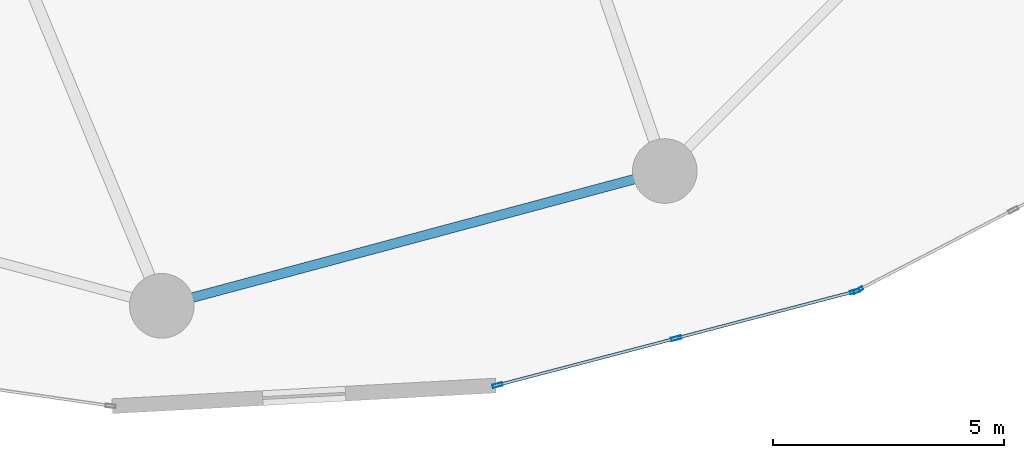
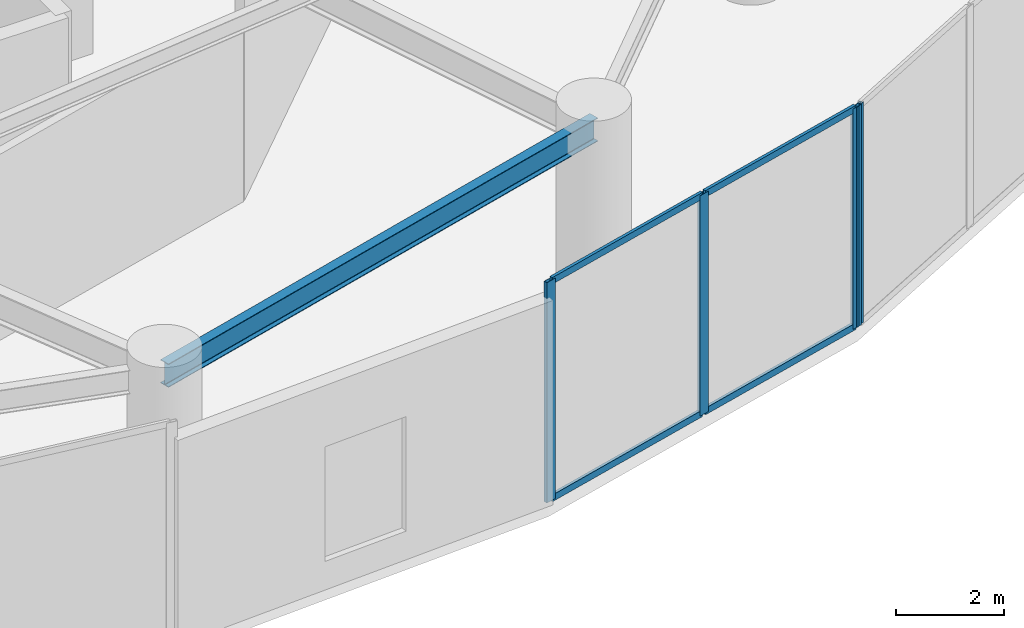
# One storey, part 10 of 31: 8 members, 1 beam, 2 elements without a shape of their own.
"""IFC4 building model written with IfcOpenShell, lengths in metres."""

from ifc_helpers import new_model, si_unit, direction, frame, origin, origin_2d, place, context, subcontext, project, spatial, hollow_rectangle, i_section, extrude, source, transform, mapped, material, layer, layer_set, material_profile, profile_set, type_object, element, aggregate, save


model = new_model("IFC4")

# Units and contexts
model_context = context("Model", 3, precision=1e-05, world=origin(), true_north=direction((0.0, 1.0)))
body_context = subcontext(model_context, "Body", "Model", "MODEL_VIEW")
ifc_project = project(units=[si_unit("LENGTHUNIT", "METRE"), si_unit("AREAUNIT", "SQUARE_METRE"), si_unit("VOLUMEUNIT", "CUBIC_METRE"), si_unit("PLANEANGLEUNIT", "RADIAN"), si_unit("MASSUNIT", "GRAM", prefix="KILO")], contexts=[model_context])

# Site, building, storey
site_placement = place(None, origin())
site = spatial("IfcSite", under=ifc_project, at=site_placement, CompositionType="ELEMENT")
building_placement = place(site_placement, origin())
building = spatial("IfcBuilding", under=site, at=building_placement, Name="Solvirekh Grand Hotel", CompositionType="ELEMENT")
storey_placement = place(building_placement, frame((0.0, 0.0, 18.60009765625)))
storey = spatial("IfcBuildingStorey", under=building, at=storey_placement, Name="L03", CompositionType="ELEMENT", Elevation=18.60009765625)

# Beam
ifc_material_1 = material(Name="Steel S355", Category="steel")
ifc_material_profile_1 = material_profile(ifc_material_1, i_section(OverallWidth=0.208984375, OverallDepth=0.532958984375, WebThickness=0.010009765625, FlangeThickness=0.014892578125, FilletRadius=0.013916015625, at=origin_2d()), Name="W530X92")
ifc_profile_set_1 = profile_set([ifc_material_profile_1], Name="Steel S355")
beam_type = type_object("IfcBeamType", Name="Spandrel_Ring_W530", PredefinedType="SPANDREL", material=ifc_profile_set_1)
beam_placement = place(storey_placement, frame((0.0, -21.800048828125, 4.372802734375), z_axis=(0.965914248703, 0.258862249378, 0.0), x_axis=(-0.258862249378, 0.965914248703, 0.0)))
element("IfcBeam", 1, at=beam_placement, inside=storey, type_object=beam_type, Name="L03 perimeter spandrel beam 10", PredefinedType="SPANDREL", context=body_context, shape_type="SweptSolid", body=[
    extrude(i_section(OverallWidth=0.208984375, OverallDepth=0.532958984375, WebThickness=0.010009765625, FlangeThickness=0.014892578125, FilletRadius=0.013916015625, at=origin_2d()), origin(), (0.0, 0.0, 1.0), 11.284423828125),
])

# Curtain wall, members
ifc_material_2 = material(Name="Anodized Bronze Aluminium 6063-T6", Category="aluminium")
ifc_layer = layer(ifc_material_2, 0.219970703125)
ifc_layer_set = layer_set([ifc_layer], Name="Anodized Bronze Aluminium 6063-T6")
curtain_wall_type = type_object("IfcCurtainWallType", Name="CW_Sys1_PodiumBronzeUnitised", PredefinedType="NOTDEFINED", material=ifc_layer_set)
curtain_wall_1_placement = place(storey_placement, origin())
curtain_wall_1 = element("IfcCurtainWall", 2, at=curtain_wall_1_placement, inside=storey, type_object=curtain_wall_type, Name="L03 unitised bronze-glass curtain wall CW-L03-C20", PredefinedType="NOTDEFINED")
ifc_material_profile_2 = material_profile(ifc_material_2, hollow_rectangle(XDim=0.06494140625, YDim=0.14990234375, WallThickness=0.0048828125, at=origin_2d()), Name="ALU RHS 150X65X5")
ifc_profile_set_2 = profile_set([ifc_material_profile_2], Name="Anodized Bronze Aluminium 6063-T6")
member_type_1 = type_object("IfcMemberType", Name="CWTransom_Sys1", PredefinedType="USERDEFINED", material=ifc_profile_set_2)
shared_shape_1 = source(origin(), body_context, "Body", "SweptSolid", [
    extrude(hollow_rectangle(XDim=0.06494140625, YDim=0.14990234375, WallThickness=0.0048828125, at=origin_2d()), origin(), (0.0, 0.0, 1.0), 3.928466796875),
])
member_1_placement = place(storey_placement, frame((11.183349609375, -22.494384765625, 0.032470703125), z_axis=(0.967304371977, 0.253618319437, 0.0), x_axis=(-0.253618319437, 0.967304371977, 0.0)))
member_1 = element("IfcMember", 3, at=member_1_placement, type_object=member_type_1, Name="U01 transom 2.1", ObjectType="TRANSOM", PredefinedType="USERDEFINED", context=body_context, shape_type="MappedRepresentation", body=[
    mapped(shared_shape_1, transform((0.0, 0.0, 0.0), x_axis=(1.0, 0.0, 0.0), y_axis=(0.0, 1.0, 0.0), z_axis=(0.0, 0.0, 1.0), scale=1.0)),
])
member_2_placement = place(storey_placement, frame((11.183349609375, -22.494384765625, 4.96728515625), z_axis=(0.967304371977, 0.253618319437, 0.0), x_axis=(-0.253618319437, 0.967304371977, 0.0)))
member_2 = element("IfcMember", 4, at=member_2_placement, type_object=member_type_1, Name="U01 transom 2.2", ObjectType="TRANSOM", PredefinedType="USERDEFINED", context=body_context, shape_type="MappedRepresentation", body=[
    mapped(shared_shape_1, transform((0.0, 0.0, 0.0), x_axis=(1.0, 0.0, 0.0), y_axis=(0.0, 1.0, 0.0), z_axis=(0.0, 0.0, 1.0), scale=1.0)),
])
ifc_material_profile_3 = material_profile(ifc_material_2, hollow_rectangle(XDim=0.074951171875, YDim=0.219970703125, WallThickness=0.006103515625, at=origin_2d()), Name="ALU RHS 220X75X6")
ifc_profile_set_3 = profile_set([ifc_material_profile_3], Name="Anodized Bronze Aluminium 6063-T6")
member_type_2 = type_object("IfcMemberType", Name="CWMullion_Sys1", PredefinedType="MULLION", material=ifc_profile_set_3)
shared_shape_2 = source(origin(), body_context, "Body", "SweptSolid", [
    extrude(hollow_rectangle(XDim=0.074951171875, YDim=0.219970703125, WallThickness=0.006103515625, at=origin_2d()), origin(), (0.0, 0.0, 1.0), 5.0),
])
member_3_placement = place(storey_placement, frame((7.274169921875, -23.51953125, 0.0), z_axis=(0.0, 0.0, 1.0), x_axis=(-0.253640573146, 0.967298536985, 0.0)))
member_3 = element("IfcMember", 5, at=member_3_placement, type_object=member_type_2, Name="U01 mullion 1", PredefinedType="MULLION", context=body_context, shape_type="MappedRepresentation", body=[
    mapped(shared_shape_2, transform((0.0, 0.0, 0.0), x_axis=(1.0, 0.0, 0.0), y_axis=(0.0, 1.0, 0.0), z_axis=(0.0, 0.0, 1.0), scale=1.0)),
])
member_4_placement = place(storey_placement, frame((11.14697265625, -22.50390625, 0.0), z_axis=(0.0, 0.0, 1.0), x_axis=(-0.253640573146, 0.967298536985, 0.0)))
member_4 = element("IfcMember", 6, at=member_4_placement, type_object=member_type_2, Name="U01 mullion 2", PredefinedType="MULLION", context=body_context, shape_type="MappedRepresentation", body=[
    mapped(shared_shape_2, transform((0.0, 0.0, 0.0), x_axis=(1.0, 0.0, 0.0), y_axis=(0.0, 1.0, 0.0), z_axis=(0.0, 0.0, 1.0), scale=1.0)),
])
member_5_placement = place(storey_placement, frame((15.019775390625, -21.488525390625, 0.0), z_axis=(0.0, 0.0, 1.0), x_axis=(-0.253640573146, 0.967298536985, 0.0)))
member_5 = element("IfcMember", 7, at=member_5_placement, type_object=member_type_2, Name="U01 mullion 3", PredefinedType="MULLION", context=body_context, shape_type="MappedRepresentation", body=[
    mapped(shared_shape_2, transform((0.0, 0.0, 0.0), x_axis=(1.0, 0.0, 0.0), y_axis=(0.0, 1.0, 0.0), z_axis=(0.0, 0.0, 1.0), scale=1.0)),
])

# Curtain wall, member
curtain_wall_2_placement = place(storey_placement, origin())
curtain_wall_2 = element("IfcCurtainWall", 8, at=curtain_wall_2_placement, inside=storey, type_object=curtain_wall_type, Name="L03 unitised bronze-glass curtain wall CW-L03-C21", PredefinedType="NOTDEFINED")
member_6_placement = place(storey_placement, frame((15.08935546875, -21.461669921875, 0.0), z_axis=(0.0, 0.0, 1.0), x_axis=(-0.459671936443, 0.888088796713, 0.0)))
member_6 = element("IfcMember", 9, at=member_6_placement, type_object=member_type_2, Name="U01 mullion 1", PredefinedType="MULLION", context=body_context, shape_type="MappedRepresentation", body=[
    mapped(shared_shape_2, transform((0.0, 0.0, 0.0), x_axis=(1.0, 0.0, 0.0), y_axis=(0.0, 1.0, 0.0), z_axis=(0.0, 0.0, 1.0), scale=1.0)),
])
aggregate(curtain_wall_2, [member_6])

# Member
shared_shape_3 = source(origin(), body_context, "Body", "SweptSolid", [
    extrude(hollow_rectangle(XDim=0.06494140625, YDim=0.14990234375, WallThickness=0.0048828125, at=origin_2d()), origin(), (0.0, 0.0, 1.0), 3.9287109375),
])
member_7_placement = place(storey_placement, frame((7.310546875, -23.510009765625, 0.032470703125), z_axis=(0.967293123192, 0.253661218609, 0.0), x_axis=(-0.253661218609, 0.967293123192, 0.0)))
member_7 = element("IfcMember", 10, at=member_7_placement, type_object=member_type_1, Name="U01 transom 1.1", ObjectType="TRANSOM", PredefinedType="USERDEFINED", context=body_context, shape_type="MappedRepresentation", body=[
    mapped(shared_shape_3, transform((0.0, 0.0, 0.0), x_axis=(1.0, 0.0, 0.0), y_axis=(0.0, 1.0, 0.0), z_axis=(0.0, 0.0, 1.0), scale=1.0)),
])

member_8_placement = place(storey_placement, frame((7.310546875, -23.510009765625, 4.96728515625), z_axis=(0.967293123192, 0.253661218609, 0.0), x_axis=(-0.253661218609, 0.967293123192, 0.0)))
member_8 = element("IfcMember", 11, at=member_8_placement, type_object=member_type_1, Name="U01 transom 1.2", ObjectType="TRANSOM", PredefinedType="USERDEFINED", context=body_context, shape_type="MappedRepresentation", body=[
    mapped(shared_shape_3, transform((0.0, 0.0, 0.0), x_axis=(1.0, 0.0, 0.0), y_axis=(0.0, 1.0, 0.0), z_axis=(0.0, 0.0, 1.0), scale=1.0)),
])

aggregate(curtain_wall_1, [member_3, member_4, member_5, member_7, member_8, member_1, member_2])

save(model, "model.ifc")
